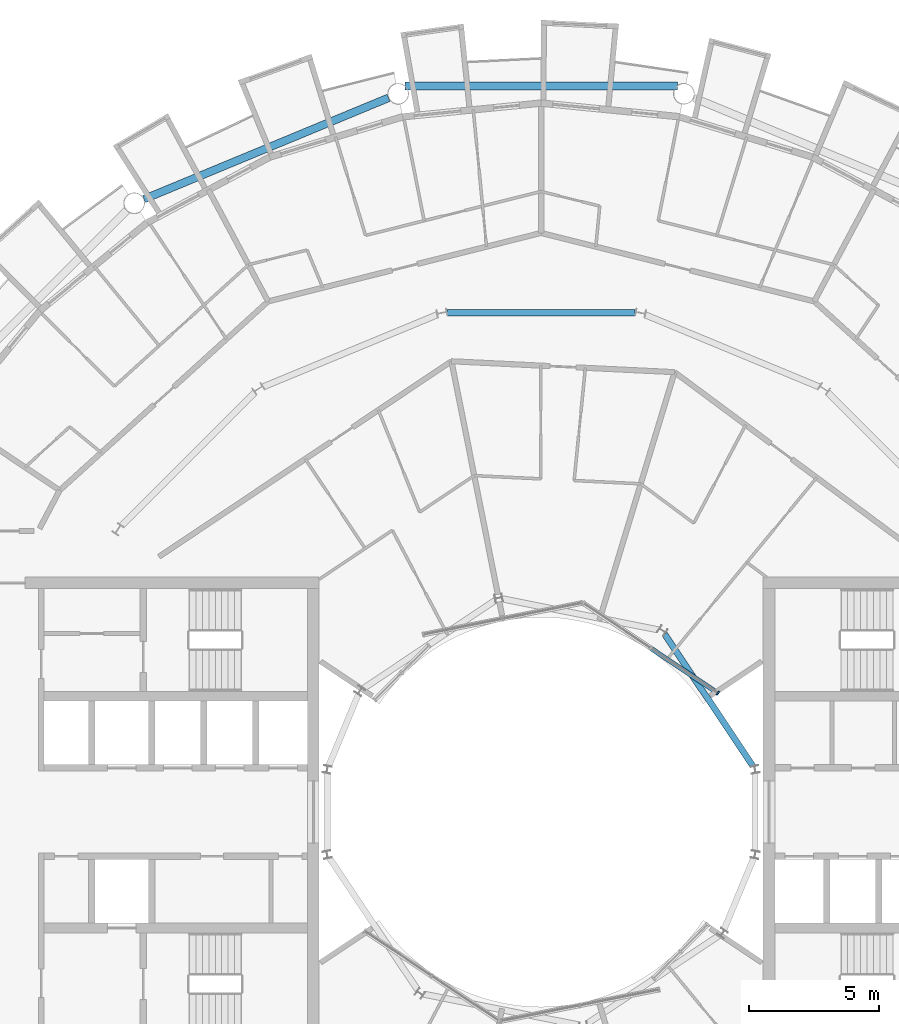
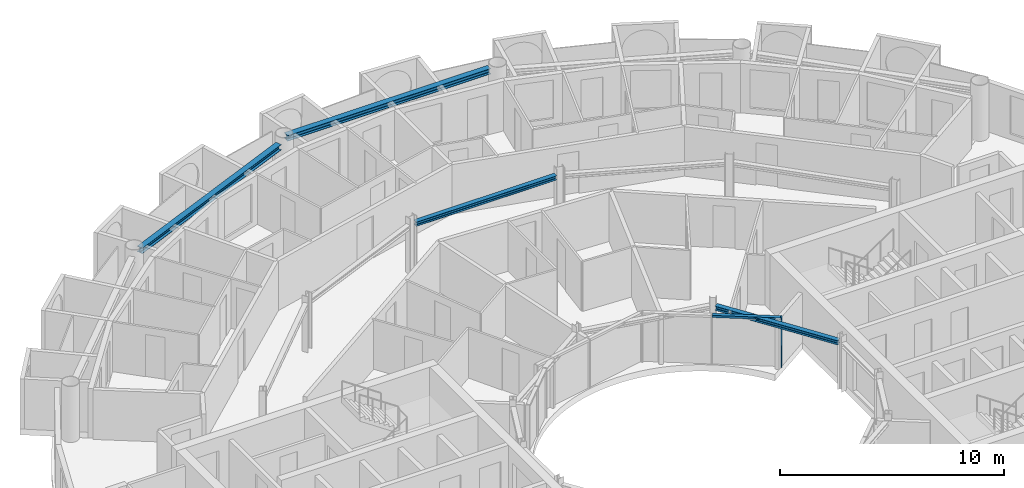
# One storey, part 10 of 29: 4 beams, 2 members, 1 element without a shape of its own.
"""IFC4 building model written with IfcOpenShell, lengths in metres."""

from ifc_helpers import new_model, si_unit, direction, frame, origin, origin_2d, place, context, subcontext, project, spatial, rectangle, i_section, extrude, material, layer, layer_set, material_profile, profile_set, type_object, element, aggregate, save


model = new_model("IFC4")

# Units and contexts
model_context = context("Model", 3, precision=1e-05, world=origin(), true_north=direction((0.0, 1.0)))
body_context = subcontext(model_context, "Body", "Model", "MODEL_VIEW")
ifc_project = project(units=[si_unit("LENGTHUNIT", "METRE"), si_unit("AREAUNIT", "SQUARE_METRE"), si_unit("VOLUMEUNIT", "CUBIC_METRE"), si_unit("PLANEANGLEUNIT", "RADIAN"), si_unit("MASSUNIT", "GRAM", prefix="KILO")], contexts=[model_context])

# Site, building, storey
site_placement = place(None, origin())
site = spatial("IfcSite", under=ifc_project, at=site_placement, CompositionType="ELEMENT")
building_placement = place(site_placement, origin())
building = spatial("IfcBuilding", under=site, at=building_placement, Name="Maasbend Ring Residences", CompositionType="ELEMENT")
storey_placement = place(building_placement, frame((0.0, 0.0, 193.25)))
storey = spatial("IfcBuildingStorey", under=building, at=storey_placement, Name="L55", CompositionType="ELEMENT", Elevation=193.25)

# Curtain wall, members
ifc_material_1 = material(Name="Aluminium and clear glass", Category="aluminium")
ifc_layer = layer(ifc_material_1, 0.179931640625)
ifc_layer_set = layer_set([ifc_layer], Name="CW-W")
curtain_wall_type = type_object("IfcCurtainWallType", Name="CW-W", PredefinedType="NOTDEFINED", material=ifc_layer_set)
curtain_wall_placement = place(storey_placement, origin())
curtain_wall = element("IfcCurtainWall", 1, at=curtain_wall_placement, inside=storey, type_object=curtain_wall_type, Name="Well curtain wall N1", PredefinedType="NOTDEFINED")
ifc_material_2 = material(Name="Aluminium 6063-T6", Category="aluminium")
ifc_material_profile_1 = material_profile(ifc_material_2, rectangle(XDim=0.179931640625, YDim=0.06005859375, at=origin_2d()), Name="AL 180x60")
ifc_profile_set_1 = profile_set([ifc_material_profile_1], Name="Aluminium 6063-T6")
member_type_1 = type_object("IfcMemberType", Name="CWM-W", PredefinedType="MULLION", material=ifc_profile_set_1)
member_1_placement = place(storey_placement, frame((6.805908203125, 4.580810546875, 0.0), z_axis=(0.0, 0.0, 1.0), x_axis=(-0.55557023302, -0.831469612303, 0.0)))
member_1 = element("IfcMember", 2, at=member_1_placement, type_object=member_type_1, Name="Mullion well face", PredefinedType="MULLION", context=body_context, shape_type="SweptSolid", body=[
    extrude(rectangle(XDim=0.179931640625, YDim=0.06005859375, at=origin_2d()), origin(), (0.0, 0.0, 1.0), 2.699951171875),
])
ifc_material_3 = material(Name="Aluminium 6063-T6", Category="aluminium")
ifc_material_profile_2 = material_profile(ifc_material_3, rectangle(XDim=0.179931640625, YDim=0.1201171875, at=origin_2d()), Name="AL 180x120")
ifc_profile_set_2 = profile_set([ifc_material_profile_2], Name="Aluminium 6063-T6")
member_type_2 = type_object("IfcMemberType", Name="CWT-W", PredefinedType="USERDEFINED", material=ifc_profile_set_2)
member_2_placement = place(storey_placement, frame((6.781005859375, 4.59765625, 2.639892578125), z_axis=(-0.831496422459, 0.555530106689, 0.0), x_axis=(-0.555530106689, -0.831496422459, 0.0)))
member_2 = element("IfcMember", 3, at=member_2_placement, type_object=member_type_2, Name="Transom well face", ObjectType="TRANSOM", PredefinedType="USERDEFINED", context=body_context, shape_type="SweptSolid", body=[
    extrude(rectangle(XDim=0.179931640625, YDim=0.1201171875, at=origin_2d()), origin(), (0.0, 0.0, 1.0), 3.053955078125),
])
aggregate(curtain_wall, [member_1, member_2])

# Beams
ifc_material_4 = material(Name="Steel S355J2", Category="steel")
ifc_material_profile_3 = material_profile(ifc_material_4, i_section(OverallWidth=0.239990234375, OverallDepth=0.22998046875, WebThickness=0.007568359375, FlangeThickness=0.011962890625, FilletRadius=0.02099609375, at=origin_2d()), Name="HEA 240")
ifc_profile_set_3 = profile_set([ifc_material_profile_3], Name="Steel S355J2")
beam_type_1 = type_object("IfcBeamType", Name="Corridor ring beam HEA 240", PredefinedType="BEAM", material=ifc_profile_set_3)
beam_1_placement = place(storey_placement, frame((3.619873046875, 19.223388671875, 2.5849609375), z_axis=(-1.0, 0.0, 0.0), x_axis=(0.0, -1.0, 0.0)))
element("IfcBeam", 4, at=beam_1_placement, inside=storey, type_object=beam_type_1, Name="Corridor ring beam", PredefinedType="BEAM", context=body_context, shape_type="SweptSolid", body=[
    extrude(i_section(OverallWidth=0.239990234375, OverallDepth=0.22998046875, WebThickness=0.007568359375, FlangeThickness=0.011962890625, FilletRadius=0.02099609375, at=origin_2d()), origin(), (0.0, 0.0, 1.0), 7.23974609375),
])
ifc_material_5 = material(Name="Steel S355J2", Category="steel")
ifc_material_profile_4 = material_profile(ifc_material_5, i_section(OverallWidth=0.300048828125, OverallDepth=0.300048828125, WebThickness=0.010986328125, FlangeThickness=0.01904296875, FilletRadius=0.027099609375, at=origin_2d()), Name="HEB 300")
ifc_profile_set_4 = profile_set([ifc_material_profile_4], Name="Steel S355J2")
beam_type_2 = type_object("IfcBeamType", Name="Spandrel ring beam HEB 300", PredefinedType="SPANDREL", material=ifc_profile_set_4)
beam_2_placement = place(storey_placement, frame((5.2451171875, 27.9580078125, 2.550048828125), z_axis=(-1.0, 0.0, 0.0), x_axis=(0.0, -1.0, 0.0)))
element("IfcBeam", 5, at=beam_2_placement, inside=storey, type_object=beam_type_2, Name="Spandrel ring beam", PredefinedType="SPANDREL", context=body_context, shape_type="SweptSolid", body=[
    extrude(i_section(OverallWidth=0.300048828125, OverallDepth=0.300048828125, WebThickness=0.010986328125, FlangeThickness=0.01904296875, FilletRadius=0.027099609375, at=origin_2d()), origin(), (0.0, 0.0, 1.0), 10.490234375),
])
beam_3_placement = place(storey_placement, frame((-5.877197265625, 27.50244140625, 2.550048828125), z_axis=(-0.923883676188, -0.382673428492, 0.0), x_axis=(0.382673428492, -0.923883676188, 0.0)))
element("IfcBeam", 6, at=beam_3_placement, inside=storey, type_object=beam_type_2, Name="Spandrel ring beam", PredefinedType="SPANDREL", context=body_context, shape_type="SweptSolid", body=[
    extrude(i_section(OverallWidth=0.300048828125, OverallDepth=0.300048828125, WebThickness=0.010986328125, FlangeThickness=0.01904296875, FilletRadius=0.027099609375, at=origin_2d()), origin(), (0.0, 0.0, 1.0), 10.18994140625),
])
ifc_material_6 = material(Name="Steel S355J2", Category="steel")
ifc_material_profile_5 = material_profile(ifc_material_6, i_section(OverallWidth=0.239990234375, OverallDepth=0.22998046875, WebThickness=0.007568359375, FlangeThickness=0.011962890625, FilletRadius=0.02099609375, at=origin_2d()), Name="HEA 240")
ifc_profile_set_5 = profile_set([ifc_material_profile_5], Name="Steel S355J2")
beam_type_3 = type_object("IfcBeamType", Name="Well edge beam HEA 240", PredefinedType="BEAM", material=ifc_profile_set_5)
beam_4_placement = place(storey_placement, frame((8.1513671875, 1.769287109375, 2.5849609375), z_axis=(-0.555584356119, 0.831460175376, 0.0), x_axis=(-0.831460175376, -0.555584356119, 0.0)))
element("IfcBeam", 7, at=beam_4_placement, inside=storey, type_object=beam_type_3, Name="Well edge beam", PredefinedType="BEAM", context=body_context, shape_type="SweptSolid", body=[
    extrude(i_section(OverallWidth=0.239990234375, OverallDepth=0.22998046875, WebThickness=0.007568359375, FlangeThickness=0.011962890625, FilletRadius=0.02099609375, at=origin_2d()), origin(), (0.0, 0.0, 1.0), 6.115234375),
])

save(model, "model.ifc")
